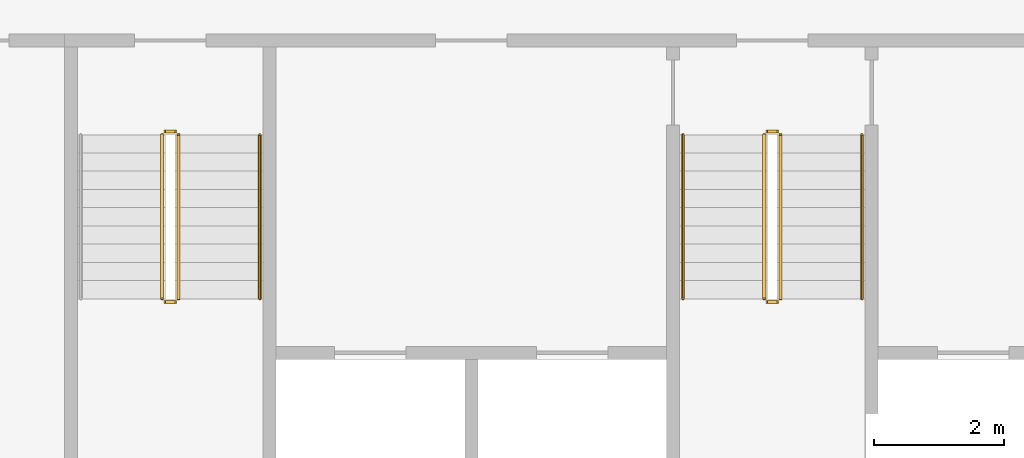
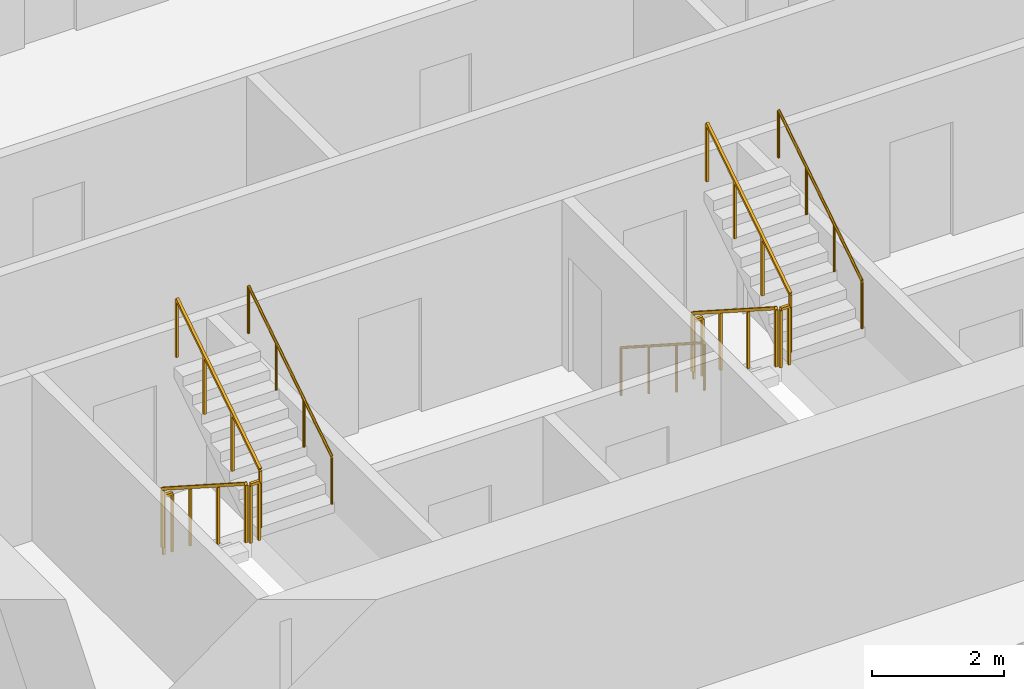
# One storey, part 12 of 14: 11 railings.
"""IFC4 building model written with IfcOpenShell, lengths in metres."""

from ifc_helpers import new_model, si_unit, direction, frame, origin, origin_2d, place, context, subcontext, project, spatial, rectangle, circle, extrude, material, type_object, element, save


model = new_model("IFC4")

# Units and contexts
model_context = context("Model", 3, precision=1e-05, world=origin(), true_north=direction((0.0, 1.0)))
body_context = subcontext(model_context, "Body", "Model", "MODEL_VIEW")
ifc_project = project(units=[si_unit("LENGTHUNIT", "METRE"), si_unit("AREAUNIT", "SQUARE_METRE"), si_unit("VOLUMEUNIT", "CUBIC_METRE"), si_unit("PLANEANGLEUNIT", "RADIAN"), si_unit("MASSUNIT", "GRAM", prefix="KILO")], contexts=[model_context])

# Site, building, storey
site_placement = place(None, origin())
site = spatial("IfcSite", under=ifc_project, at=site_placement, CompositionType="ELEMENT")
building_placement = place(site_placement, origin())
building = spatial("IfcBuilding", under=site, at=building_placement, Name="Mangrove Gate Tower", CompositionType="ELEMENT")
storey_placement = place(building_placement, frame((0.0, 0.0, 152.699951171875)))
storey = spatial("IfcBuildingStorey", under=building, at=storey_placement, Name="L38", CompositionType="ELEMENT", Elevation=152.699951171875)

# Railings
ifc_material_1 = material(Name="Stainless steel 316", Category="steel")
railing_type_1 = type_object("IfcRailingType", Name="Core stair guard 1100", PredefinedType="GUARDRAIL", material=ifc_material_1)
railing_1_placement = place(storey_placement, frame((-9.39990234375, -4.64990234375, 0.179931640625)))
element("IfcRailing", 1, at=railing_1_placement, inside=storey, type_object=railing_type_1, Name="L38 ST1 stair guard 1", PredefinedType="GUARDRAIL", context=body_context, shape_type="SweptSolid", body=[
    extrude(rectangle(XDim=0.048095703125, YDim=0.048095703125, at=origin_2d()), frame((0.0, 0.0, 1.076171875), z_axis=(0.0, -0.841162588446, 0.540782303519), x_axis=(1.0, 0.0, 0.0)), (0.0, 0.0, 1.0), 2.995849609375),
    extrude(rectangle(XDim=0.0419921875, YDim=0.0419921875, at=origin_2d()), origin(), (0.0, 0.0, 1.0), 1.052001953125),
    extrude(rectangle(XDim=0.0419921875, YDim=0.0419921875, at=origin_2d()), frame((0.0, -0.840087890625, 0.5400390625)), (0.0, 0.0, 1.0), 1.052001953125),
    extrude(rectangle(XDim=0.0419921875, YDim=0.0419921875, at=origin_2d()), frame((0.0, -1.679931640625, 1.080078125)), (0.0, 0.0, 1.0), 1.052001953125),
    extrude(rectangle(XDim=0.0419921875, YDim=0.0419921875, at=origin_2d()), frame((0.0, -2.52001953125, 1.6201171875)), (0.0, 0.0, 1.0), 1.052001953125),
])
railing_2_placement = place(storey_placement, frame((-9.35009765625, -7.219970703125, 1.800048828125)))
element("IfcRailing", 2, at=railing_2_placement, inside=storey, type_object=railing_type_1, Name="L38 ST1 stair guard 2", PredefinedType="GUARDRAIL", context=body_context, shape_type="SweptSolid", body=[
    extrude(rectangle(XDim=0.048095703125, YDim=0.048095703125, at=origin_2d()), frame((0.0, 0.0, 1.076171875), z_axis=(1.0, 0.0, 0.0), x_axis=(0.0, 1.0, 0.0)), (0.0, 0.0, 1.0), 0.150146484375),
    extrude(rectangle(XDim=0.0419921875, YDim=0.0419921875, at=origin_2d()), origin(), (0.0, 0.0, 1.0), 1.052001953125),
    extrude(rectangle(XDim=0.0419921875, YDim=0.0419921875, at=origin_2d()), frame((0.150146484375, 0.0, 0.0)), (0.0, 0.0, 1.0), 1.052001953125),
])
railing_3_placement = place(storey_placement, frame((-9.14990234375, -7.169921875, 1.97998046875)))
element("IfcRailing", 3, at=railing_3_placement, inside=storey, type_object=railing_type_1, Name="L38 ST1 stair guard 3", PredefinedType="GUARDRAIL", context=body_context, shape_type="SweptSolid", body=[
    extrude(rectangle(XDim=0.048095703125, YDim=0.048095703125, at=origin_2d()), frame((0.0, 0.0, 1.076171875), z_axis=(0.0, 0.841162588446, 0.540782303519), x_axis=(-1.0, 0.0, 0.0)), (0.0, 0.0, 1.0), 2.995849609375),
    extrude(rectangle(XDim=0.0419921875, YDim=0.0419921875, at=origin_2d()), origin(), (0.0, 0.0, 1.0), 1.052001953125),
    extrude(rectangle(XDim=0.0419921875, YDim=0.0419921875, at=origin_2d()), frame((0.0, 0.840087890625, 0.5400390625)), (0.0, 0.0, 1.0), 1.052001953125),
    extrude(rectangle(XDim=0.0419921875, YDim=0.0419921875, at=origin_2d()), frame((0.0, 1.679931640625, 1.080078125)), (0.0, 0.0, 1.0), 1.052001953125),
    extrude(rectangle(XDim=0.0419921875, YDim=0.0419921875, at=origin_2d()), frame((0.0, 2.52001953125, 1.6201171875)), (0.0, 0.0, 1.0), 1.052001953125),
])
railing_4_placement = place(storey_placement, frame((-9.35009765625, -4.60009765625, 0.0)))
element("IfcRailing", 4, at=railing_4_placement, inside=storey, type_object=railing_type_1, Name="L38 ST1 stair guard 4", PredefinedType="GUARDRAIL", context=body_context, shape_type="SweptSolid", body=[
    extrude(rectangle(XDim=0.048095703125, YDim=0.048095703125, at=origin_2d()), frame((0.0, 0.0, 1.076171875), z_axis=(1.0, 0.0, 0.0), x_axis=(0.0, 1.0, 0.0)), (0.0, 0.0, 1.0), 0.150146484375),
    extrude(rectangle(XDim=0.0419921875, YDim=0.0419921875, at=origin_2d()), origin(), (0.0, 0.0, 1.0), 1.052001953125),
    extrude(rectangle(XDim=0.0419921875, YDim=0.0419921875, at=origin_2d()), frame((0.150146484375, 0.0, 0.0)), (0.0, 0.0, 1.0), 1.052001953125),
])
railing_5_placement = place(storey_placement, frame((-0.14990234375, -4.64990234375, 0.179931640625)))
element("IfcRailing", 5, at=railing_5_placement, inside=storey, type_object=railing_type_1, Name="L38 ST2 stair guard 1", PredefinedType="GUARDRAIL", context=body_context, shape_type="SweptSolid", body=[
    extrude(rectangle(XDim=0.048095703125, YDim=0.048095703125, at=origin_2d()), frame((0.0, 0.0, 1.076171875), z_axis=(0.0, -0.841162588446, 0.540782303519), x_axis=(1.0, 0.0, 0.0)), (0.0, 0.0, 1.0), 2.995849609375),
    extrude(rectangle(XDim=0.0419921875, YDim=0.0419921875, at=origin_2d()), origin(), (0.0, 0.0, 1.0), 1.052001953125),
    extrude(rectangle(XDim=0.0419921875, YDim=0.0419921875, at=origin_2d()), frame((0.0, -0.840087890625, 0.5400390625)), (0.0, 0.0, 1.0), 1.052001953125),
    extrude(rectangle(XDim=0.0419921875, YDim=0.0419921875, at=origin_2d()), frame((0.0, -1.679931640625, 1.080078125)), (0.0, 0.0, 1.0), 1.052001953125),
    extrude(rectangle(XDim=0.0419921875, YDim=0.0419921875, at=origin_2d()), frame((0.0, -2.52001953125, 1.6201171875)), (0.0, 0.0, 1.0), 1.052001953125),
])
railing_6_placement = place(storey_placement, frame((-0.10009765625, -7.219970703125, 1.800048828125)))
element("IfcRailing", 6, at=railing_6_placement, inside=storey, type_object=railing_type_1, Name="L38 ST2 stair guard 2", PredefinedType="GUARDRAIL", context=body_context, shape_type="SweptSolid", body=[
    extrude(rectangle(XDim=0.048095703125, YDim=0.048095703125, at=origin_2d()), frame((0.0, 0.0, 1.076171875), z_axis=(1.0, 0.0, 0.0), x_axis=(0.0, 1.0, 0.0)), (0.0, 0.0, 1.0), 0.150146484375),
    extrude(rectangle(XDim=0.0419921875, YDim=0.0419921875, at=origin_2d()), origin(), (0.0, 0.0, 1.0), 1.052001953125),
    extrude(rectangle(XDim=0.0419921875, YDim=0.0419921875, at=origin_2d()), frame((0.150146484375, 0.0, 0.0)), (0.0, 0.0, 1.0), 1.052001953125),
])
railing_7_placement = place(storey_placement, frame((0.10009765625, -7.169921875, 1.97998046875)))
element("IfcRailing", 7, at=railing_7_placement, inside=storey, type_object=railing_type_1, Name="L38 ST2 stair guard 3", PredefinedType="GUARDRAIL", context=body_context, shape_type="SweptSolid", body=[
    extrude(rectangle(XDim=0.048095703125, YDim=0.048095703125, at=origin_2d()), frame((0.0, 0.0, 1.076171875), z_axis=(0.0, 0.841162588446, 0.540782303519), x_axis=(-1.0, 0.0, 0.0)), (0.0, 0.0, 1.0), 2.995849609375),
    extrude(rectangle(XDim=0.0419921875, YDim=0.0419921875, at=origin_2d()), origin(), (0.0, 0.0, 1.0), 1.052001953125),
    extrude(rectangle(XDim=0.0419921875, YDim=0.0419921875, at=origin_2d()), frame((0.0, 0.840087890625, 0.5400390625)), (0.0, 0.0, 1.0), 1.052001953125),
    extrude(rectangle(XDim=0.0419921875, YDim=0.0419921875, at=origin_2d()), frame((0.0, 1.679931640625, 1.080078125)), (0.0, 0.0, 1.0), 1.052001953125),
    extrude(rectangle(XDim=0.0419921875, YDim=0.0419921875, at=origin_2d()), frame((0.0, 2.52001953125, 1.6201171875)), (0.0, 0.0, 1.0), 1.052001953125),
])
railing_8_placement = place(storey_placement, frame((-0.10009765625, -4.60009765625, 0.0)))
element("IfcRailing", 8, at=railing_8_placement, inside=storey, type_object=railing_type_1, Name="L38 ST2 stair guard 4", PredefinedType="GUARDRAIL", context=body_context, shape_type="SweptSolid", body=[
    extrude(rectangle(XDim=0.048095703125, YDim=0.048095703125, at=origin_2d()), frame((0.0, 0.0, 1.076171875), z_axis=(1.0, 0.0, 0.0), x_axis=(0.0, 1.0, 0.0)), (0.0, 0.0, 1.0), 0.150146484375),
    extrude(rectangle(XDim=0.0419921875, YDim=0.0419921875, at=origin_2d()), origin(), (0.0, 0.0, 1.0), 1.052001953125),
    extrude(rectangle(XDim=0.0419921875, YDim=0.0419921875, at=origin_2d()), frame((0.150146484375, 0.0, 0.0)), (0.0, 0.0, 1.0), 1.052001953125),
])
ifc_material_2 = material(Name="Stainless steel 316", Category="steel")
railing_type_2 = type_object("IfcRailingType", Name="Core stair handrail 900", PredefinedType="HANDRAIL", material=ifc_material_2)
railing_9_placement = place(storey_placement, frame((-7.89990234375, -7.169921875, 1.97998046875)))
element("IfcRailing", 9, at=railing_9_placement, inside=storey, type_object=railing_type_2, Name="L38 ST1 stair handrail 2", PredefinedType="HANDRAIL", context=body_context, shape_type="SweptSolid", body=[
    extrude(circle(Radius=0.02392578125, at=origin_2d()), frame((0.0, 0.0, 0.8759765625), z_axis=(0.0, 0.841162588446, 0.540782303519), x_axis=(-1.0, 0.0, 0.0)), (0.0, 0.0, 1.0), 2.995849609375),
    extrude(circle(Radius=0.02099609375, at=origin_2d()), origin(), (0.0, 0.0, 1.0), 0.851806640625),
    extrude(circle(Radius=0.02099609375, at=origin_2d()), frame((0.0, 0.840087890625, 0.5400390625)), (0.0, 0.0, 1.0), 0.851806640625),
    extrude(circle(Radius=0.02099609375, at=origin_2d()), frame((0.0, 1.679931640625, 1.080078125)), (0.0, 0.0, 1.0), 0.851806640625),
    extrude(circle(Radius=0.02099609375, at=origin_2d()), frame((0.0, 2.52001953125, 1.6201171875)), (0.0, 0.0, 1.0), 0.851806640625),
])
railing_10_placement = place(storey_placement, frame((-1.39990234375, -4.64990234375, 0.179931640625)))
element("IfcRailing", 10, at=railing_10_placement, inside=storey, type_object=railing_type_2, Name="L38 ST2 stair handrail 1", PredefinedType="HANDRAIL", context=body_context, shape_type="SweptSolid", body=[
    extrude(circle(Radius=0.02392578125, at=origin_2d()), frame((0.0, 0.0, 0.8759765625), z_axis=(0.0, -0.841162588446, 0.540782303519), x_axis=(1.0, 0.0, 0.0)), (0.0, 0.0, 1.0), 2.995849609375),
    extrude(circle(Radius=0.02099609375, at=origin_2d()), origin(), (0.0, 0.0, 1.0), 0.851806640625),
    extrude(circle(Radius=0.02099609375, at=origin_2d()), frame((0.0, -0.840087890625, 0.5400390625)), (0.0, 0.0, 1.0), 0.851806640625),
    extrude(circle(Radius=0.02099609375, at=origin_2d()), frame((0.0, -1.679931640625, 1.080078125)), (0.0, 0.0, 1.0), 0.851806640625),
    extrude(circle(Radius=0.02099609375, at=origin_2d()), frame((0.0, -2.52001953125, 1.6201171875)), (0.0, 0.0, 1.0), 0.851806640625),
])
railing_11_placement = place(storey_placement, frame((1.35009765625, -7.169921875, 1.97998046875)))
element("IfcRailing", 11, at=railing_11_placement, inside=storey, type_object=railing_type_2, Name="L38 ST2 stair handrail 2", PredefinedType="HANDRAIL", context=body_context, shape_type="SweptSolid", body=[
    extrude(circle(Radius=0.02392578125, at=origin_2d()), frame((0.0, 0.0, 0.8759765625), z_axis=(0.0, 0.841162588446, 0.540782303519), x_axis=(-1.0, 0.0, 0.0)), (0.0, 0.0, 1.0), 2.995849609375),
    extrude(circle(Radius=0.02099609375, at=origin_2d()), origin(), (0.0, 0.0, 1.0), 0.851806640625),
    extrude(circle(Radius=0.02099609375, at=origin_2d()), frame((0.0, 0.840087890625, 0.5400390625)), (0.0, 0.0, 1.0), 0.851806640625),
    extrude(circle(Radius=0.02099609375, at=origin_2d()), frame((0.0, 1.679931640625, 1.080078125)), (0.0, 0.0, 1.0), 0.851806640625),
    extrude(circle(Radius=0.02099609375, at=origin_2d()), frame((0.0, 2.52001953125, 1.6201171875)), (0.0, 0.0, 1.0), 0.851806640625),
])

save(model, "model.ifc")
